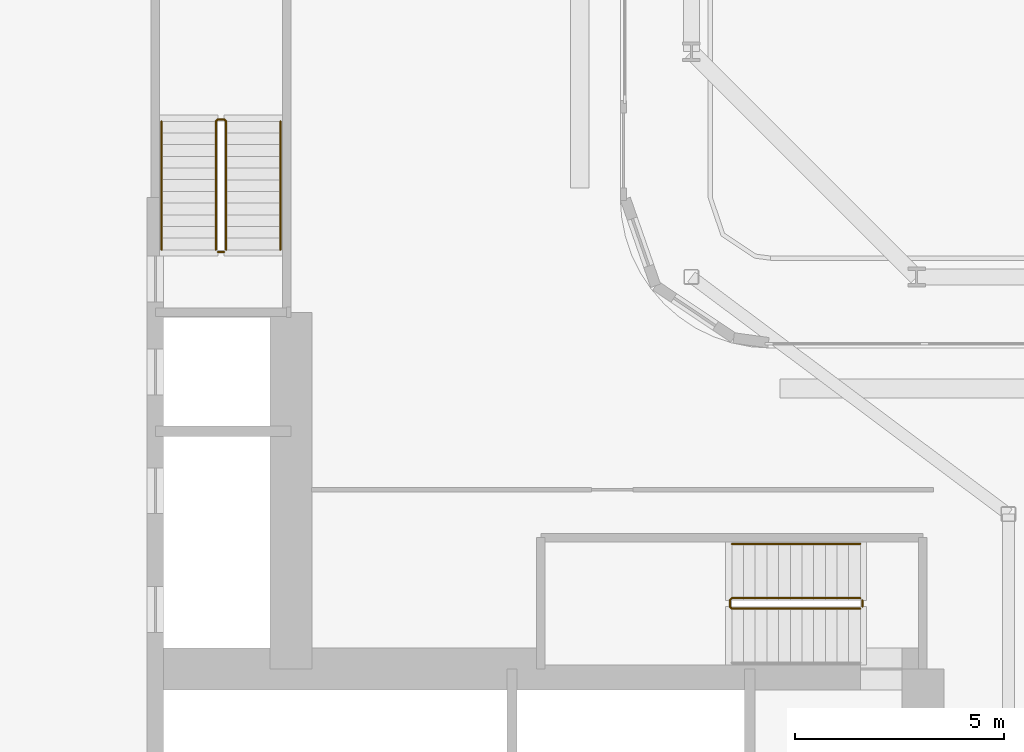
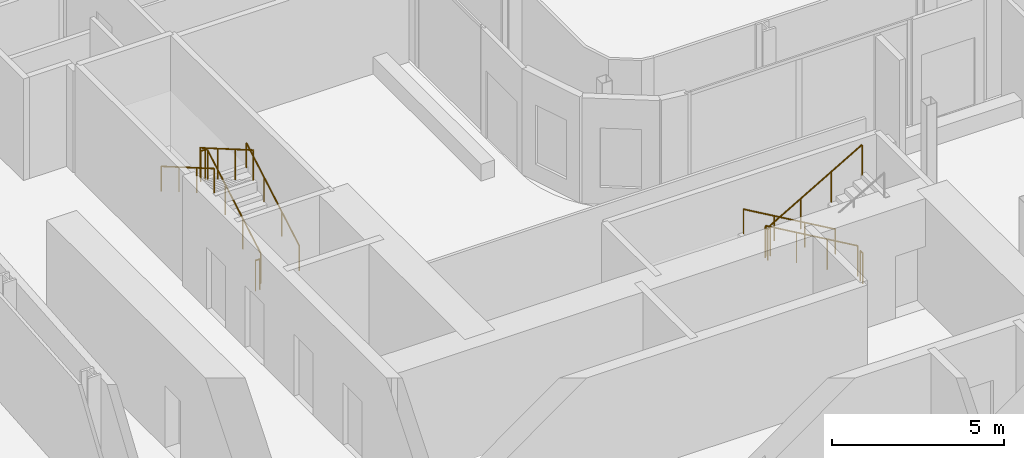
# One storey, part 21 of 27: 7 railings.
"""IFC4 building model written with IfcOpenShell, lengths in metres."""

from ifc_helpers import new_model, si_unit, direction, frame, origin, origin_2d, place, context, subcontext, project, spatial, circle, extrude, material, type_object, element, save


model = new_model("IFC4")

# Units and contexts
model_context = context("Model", 3, precision=1e-05, world=origin(), true_north=direction((0.0, 1.0)))
body_context = subcontext(model_context, "Body", "Model", "MODEL_VIEW")
ifc_project = project(units=[si_unit("LENGTHUNIT", "METRE"), si_unit("AREAUNIT", "SQUARE_METRE"), si_unit("VOLUMEUNIT", "CUBIC_METRE"), si_unit("PLANEANGLEUNIT", "RADIAN"), si_unit("MASSUNIT", "GRAM", prefix="KILO")], contexts=[model_context])

# Site, building, storey
site_placement = place(None, origin())
site = spatial("IfcSite", under=ifc_project, at=site_placement, CompositionType="ELEMENT")
building_placement = place(site_placement, origin())
building = spatial("IfcBuilding", under=site, at=building_placement, Name="Kheshtan School and Residences Tower", CompositionType="ELEMENT")
storey_placement = place(building_placement, frame((0.0, 0.0, 30.5)))
storey = spatial("IfcBuildingStorey", under=building, at=storey_placement, Name="L06", CompositionType="ELEMENT", Elevation=30.5)

# Railings
ifc_material_1 = material(Name="Stainless steel balustrade", Category="steel")
railing_type_1 = type_object("IfcRailingType", Name="Stair guard 1100", PredefinedType="GUARDRAIL", material=ifc_material_1)
railing_1_placement = place(storey_placement, frame((51.64990234375, 37.89990234375, 0.16259765625)))
element("IfcRailing", 1, at=railing_1_placement, inside=storey, type_object=railing_type_1, Name="L06 ST1 stair guard 1", PredefinedType="GUARDRAIL", context=body_context, shape_type="SweptSolid", body=[
    extrude(circle(Radius=0.02392578125, at=origin_2d()), frame((0.0, 0.0, 1.076171875), z_axis=(-0.864903211148, 0.0, 0.501938676878), x_axis=(0.0, -1.0, 0.0)), (0.0, 0.0, 1.0), 3.560791015625),
    extrude(circle(Radius=0.02392578125, at=origin_2d()), frame((-3.079833984375, 0.0, 2.86328125), z_axis=(-0.708833529934, -0.705375805398, 0.0), x_axis=(0.705375805398, -0.708833529934, 0.0)), (0.0, 0.0, 1.0), 0.070556640625),
    extrude(circle(Radius=0.02392578125, at=origin_2d()), frame((-3.1298828125, -0.0498046875, 2.86328125), z_axis=(0.0, -1.0, 0.0), x_axis=(1.0, 0.0, 0.0)), (0.0, 0.0, 1.0), 0.150146484375),
    extrude(circle(Radius=0.02392578125, at=origin_2d()), frame((-3.1298828125, -0.199951171875, 2.86328125), z_axis=(0.282227285176, -0.282227285176, 0.916894497205), x_axis=(0.707106781187, 0.707106781187, 0.0)), (0.0, 0.0, 1.0), 0.17724609375),
    extrude(circle(Radius=0.02392578125, at=origin_2d()), frame((-3.079833984375, -0.25, 3.02587890625), z_axis=(0.864903211148, 0.0, 0.501938676878), x_axis=(0.0, 1.0, 0.0)), (0.0, 0.0, 1.0), 3.560791015625),
    extrude(circle(Radius=0.02099609375, at=origin_2d()), origin(), (0.0, 0.0, 1.0), 1.052001953125),
    extrude(circle(Radius=0.02099609375, at=origin_2d()), frame((-1.026611328125, 0.0, 0.595703125)), (0.0, 0.0, 1.0), 1.052001953125),
    extrude(circle(Radius=0.02099609375, at=origin_2d()), frame((-2.05322265625, 0.0, 1.191650390625)), (0.0, 0.0, 1.0), 1.052001953125),
    extrude(circle(Radius=0.02099609375, at=origin_2d()), frame((-3.079833984375, 0.0, 1.787353515625)), (0.0, 0.0, 1.0), 1.052001953125),
    extrude(circle(Radius=0.02099609375, at=origin_2d()), frame((-3.1298828125, -0.0498046875, 1.787353515625)), (0.0, 0.0, 1.0), 1.052001953125),
    extrude(circle(Radius=0.02099609375, at=origin_2d()), frame((-3.1298828125, -0.199951171875, 1.787353515625)), (0.0, 0.0, 1.0), 1.052001953125),
    extrude(circle(Radius=0.02099609375, at=origin_2d()), frame((-3.079833984375, -0.25, 1.949951171875)), (0.0, 0.0, 1.0), 1.052001953125),
    extrude(circle(Radius=0.02099609375, at=origin_2d()), frame((-2.05322265625, -0.25, 2.545654296875)), (0.0, 0.0, 1.0), 1.052001953125),
    extrude(circle(Radius=0.02099609375, at=origin_2d()), frame((-1.026611328125, -0.25, 3.1416015625)), (0.0, 0.0, 1.0), 1.052001953125),
    extrude(circle(Radius=0.02099609375, at=origin_2d()), frame((0.0, -0.25, 3.7373046875)), (0.0, 0.0, 1.0), 1.052001953125),
])
railing_2_placement = place(storey_placement, frame((51.699951171875, 37.85009765625, 0.0)))
element("IfcRailing", 2, at=railing_2_placement, inside=storey, type_object=railing_type_1, Name="L06 ST1 stair guard 2", PredefinedType="GUARDRAIL", context=body_context, shape_type="SweptSolid", body=[
    extrude(circle(Radius=0.02392578125, at=origin_2d()), frame((0.0, 0.0, 1.076171875), z_axis=(0.0, -1.0, 0.0), x_axis=(1.0, 0.0, 0.0)), (0.0, 0.0, 1.0), 0.150146484375),
    extrude(circle(Radius=0.02099609375, at=origin_2d()), origin(), (0.0, 0.0, 1.0), 1.052001953125),
    extrude(circle(Radius=0.02099609375, at=origin_2d()), frame((0.0, -0.150146484375, 0.0)), (0.0, 0.0, 1.0), 1.052001953125),
])
railing_3_placement = place(storey_placement, frame((36.449951171875, 46.25, 0.16259765625)))
element("IfcRailing", 3, at=railing_3_placement, inside=storey, type_object=railing_type_1, Name="L06 ST2 stair guard 1", PredefinedType="GUARDRAIL", context=body_context, shape_type="SweptSolid", body=[
    extrude(circle(Radius=0.02392578125, at=origin_2d()), frame((0.0, 0.0, 1.076171875), z_axis=(0.0, 0.864920483161, 0.501908913857), x_axis=(-1.0, 0.0, 0.0)), (0.0, 0.0, 1.0), 3.56103515625),
    extrude(circle(Radius=0.02392578125, at=origin_2d()), frame((0.0, 3.080078125, 2.86328125), z_axis=(-0.708833529934, 0.705375805398, 0.0), x_axis=(-0.705375805398, -0.708833529934, 0.0)), (0.0, 0.0, 1.0), 0.070556640625),
    extrude(circle(Radius=0.02392578125, at=origin_2d()), frame((-0.050048828125, 3.1298828125, 2.86328125), z_axis=(-1.0, 0.0, 0.0), x_axis=(0.0, -1.0, 0.0)), (0.0, 0.0, 1.0), 0.14990234375),
    extrude(circle(Radius=0.02392578125, at=origin_2d()), frame((-0.199951171875, 3.1298828125, 2.86328125), z_axis=(-0.282336740067, -0.280959487676, 0.917250092119), x_axis=(0.705375805398, -0.708833529934, 0.0)), (0.0, 0.0, 1.0), 0.17724609375),
    extrude(circle(Radius=0.02392578125, at=origin_2d()), frame((-0.25, 3.080078125, 3.02587890625), z_axis=(0.0, -0.864920483161, 0.501908913857), x_axis=(1.0, 0.0, 0.0)), (0.0, 0.0, 1.0), 3.56103515625),
    extrude(circle(Radius=0.02099609375, at=origin_2d()), origin(), (0.0, 0.0, 1.0), 1.052001953125),
    extrude(circle(Radius=0.02099609375, at=origin_2d()), frame((0.0, 1.026611328125, 0.595703125)), (0.0, 0.0, 1.0), 1.052001953125),
    extrude(circle(Radius=0.02099609375, at=origin_2d()), frame((0.0, 2.053466796875, 1.191650390625)), (0.0, 0.0, 1.0), 1.052001953125),
    extrude(circle(Radius=0.02099609375, at=origin_2d()), frame((0.0, 3.080078125, 1.787353515625)), (0.0, 0.0, 1.0), 1.052001953125),
    extrude(circle(Radius=0.02099609375, at=origin_2d()), frame((-0.050048828125, 3.1298828125, 1.787353515625)), (0.0, 0.0, 1.0), 1.052001953125),
    extrude(circle(Radius=0.02099609375, at=origin_2d()), frame((-0.199951171875, 3.1298828125, 1.787353515625)), (0.0, 0.0, 1.0), 1.052001953125),
    extrude(circle(Radius=0.02099609375, at=origin_2d()), frame((-0.25, 3.080078125, 1.949951171875)), (0.0, 0.0, 1.0), 1.052001953125),
    extrude(circle(Radius=0.02099609375, at=origin_2d()), frame((-0.25, 2.053466796875, 2.545654296875)), (0.0, 0.0, 1.0), 1.052001953125),
    extrude(circle(Radius=0.02099609375, at=origin_2d()), frame((-0.25, 1.026611328125, 3.1416015625)), (0.0, 0.0, 1.0), 1.052001953125),
    extrude(circle(Radius=0.02099609375, at=origin_2d()), frame((-0.25, 0.0, 3.7373046875)), (0.0, 0.0, 1.0), 1.052001953125),
])
railing_4_placement = place(storey_placement, frame((36.39990234375, 46.199951171875, 0.0)))
element("IfcRailing", 4, at=railing_4_placement, inside=storey, type_object=railing_type_1, Name="L06 ST2 stair guard 2", PredefinedType="GUARDRAIL", context=body_context, shape_type="SweptSolid", body=[
    extrude(circle(Radius=0.02392578125, at=origin_2d()), frame((0.0, 0.0, 1.076171875), z_axis=(-1.0, 0.0, 0.0), x_axis=(0.0, -1.0, 0.0)), (0.0, 0.0, 1.0), 0.14990234375),
    extrude(circle(Radius=0.02099609375, at=origin_2d()), origin(), (0.0, 0.0, 1.0), 1.052001953125),
    extrude(circle(Radius=0.02099609375, at=origin_2d()), frame((-0.14990234375, 0.0, 0.0)), (0.0, 0.0, 1.0), 1.052001953125),
])
ifc_material_2 = material(Name="Stainless steel handrail", Category="steel")
railing_type_2 = type_object("IfcRailingType", Name="Stair handrail 900", PredefinedType="HANDRAIL", material=ifc_material_2)
railing_5_placement = place(storey_placement, frame((51.64990234375, 39.199951171875, 0.16259765625)))
element("IfcRailing", 5, at=railing_5_placement, inside=storey, type_object=railing_type_2, Name="L06 ST1 stair handrail 1", PredefinedType="HANDRAIL", context=body_context, shape_type="SweptSolid", body=[
    extrude(circle(Radius=0.02392578125, at=origin_2d()), frame((0.0, 0.0, 0.8759765625), z_axis=(-0.864903211148, 0.0, 0.501938676878), x_axis=(0.0, -1.0, 0.0)), (0.0, 0.0, 1.0), 3.560791015625),
    extrude(circle(Radius=0.02099609375, at=origin_2d()), origin(), (0.0, 0.0, 1.0), 0.851806640625),
    extrude(circle(Radius=0.02099609375, at=origin_2d()), frame((-1.026611328125, 0.0, 0.595703125)), (0.0, 0.0, 1.0), 0.851806640625),
    extrude(circle(Radius=0.02099609375, at=origin_2d()), frame((-2.05322265625, 0.0, 1.191650390625)), (0.0, 0.0, 1.0), 0.851806640625),
    extrude(circle(Radius=0.02099609375, at=origin_2d()), frame((-3.079833984375, 0.0, 1.787353515625)), (0.0, 0.0, 1.0), 0.851806640625),
])
railing_6_placement = place(storey_placement, frame((37.75, 46.25, 0.16259765625)))
element("IfcRailing", 6, at=railing_6_placement, inside=storey, type_object=railing_type_2, Name="L06 ST2 stair handrail 1", PredefinedType="HANDRAIL", context=body_context, shape_type="SweptSolid", body=[
    extrude(circle(Radius=0.02392578125, at=origin_2d()), frame((0.0, 0.0, 0.8759765625), z_axis=(0.0, 0.864920483161, 0.501908913857), x_axis=(-1.0, 0.0, 0.0)), (0.0, 0.0, 1.0), 3.56103515625),
    extrude(circle(Radius=0.02099609375, at=origin_2d()), origin(), (0.0, 0.0, 1.0), 0.851806640625),
    extrude(circle(Radius=0.02099609375, at=origin_2d()), frame((0.0, 1.026611328125, 0.595703125)), (0.0, 0.0, 1.0), 0.851806640625),
    extrude(circle(Radius=0.02099609375, at=origin_2d()), frame((0.0, 2.053466796875, 1.191650390625)), (0.0, 0.0, 1.0), 0.851806640625),
    extrude(circle(Radius=0.02099609375, at=origin_2d()), frame((0.0, 3.080078125, 1.787353515625)), (0.0, 0.0, 1.0), 0.851806640625),
])
railing_7_placement = place(storey_placement, frame((34.89990234375, 49.330078125, 2.112548828125)))
element("IfcRailing", 7, at=railing_7_placement, inside=storey, type_object=railing_type_2, Name="L06 ST2 stair handrail 2", PredefinedType="HANDRAIL", context=body_context, shape_type="SweptSolid", body=[
    extrude(circle(Radius=0.02392578125, at=origin_2d()), frame((0.0, 0.0, 0.8759765625), z_axis=(0.0, -0.864920483161, 0.501908913857), x_axis=(1.0, 0.0, 0.0)), (0.0, 0.0, 1.0), 3.56103515625),
    extrude(circle(Radius=0.02099609375, at=origin_2d()), origin(), (0.0, 0.0, 1.0), 0.851806640625),
    extrude(circle(Radius=0.02099609375, at=origin_2d()), frame((0.0, -1.026611328125, 0.595703125)), (0.0, 0.0, 1.0), 0.851806640625),
    extrude(circle(Radius=0.02099609375, at=origin_2d()), frame((0.0, -2.053466796875, 1.191650390625)), (0.0, 0.0, 1.0), 0.851806640625),
    extrude(circle(Radius=0.02099609375, at=origin_2d()), frame((0.0, -3.080078125, 1.787353515625)), (0.0, 0.0, 1.0), 0.851806640625),
])

save(model, "model.ifc")
